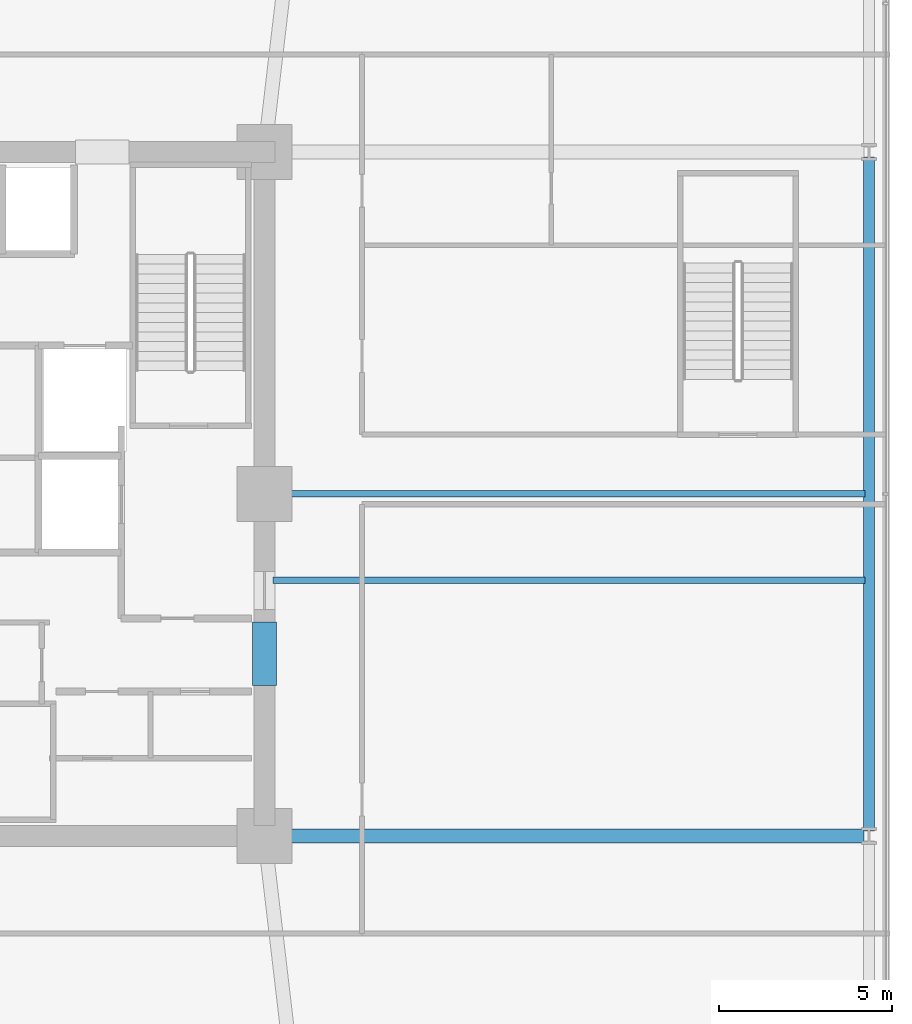
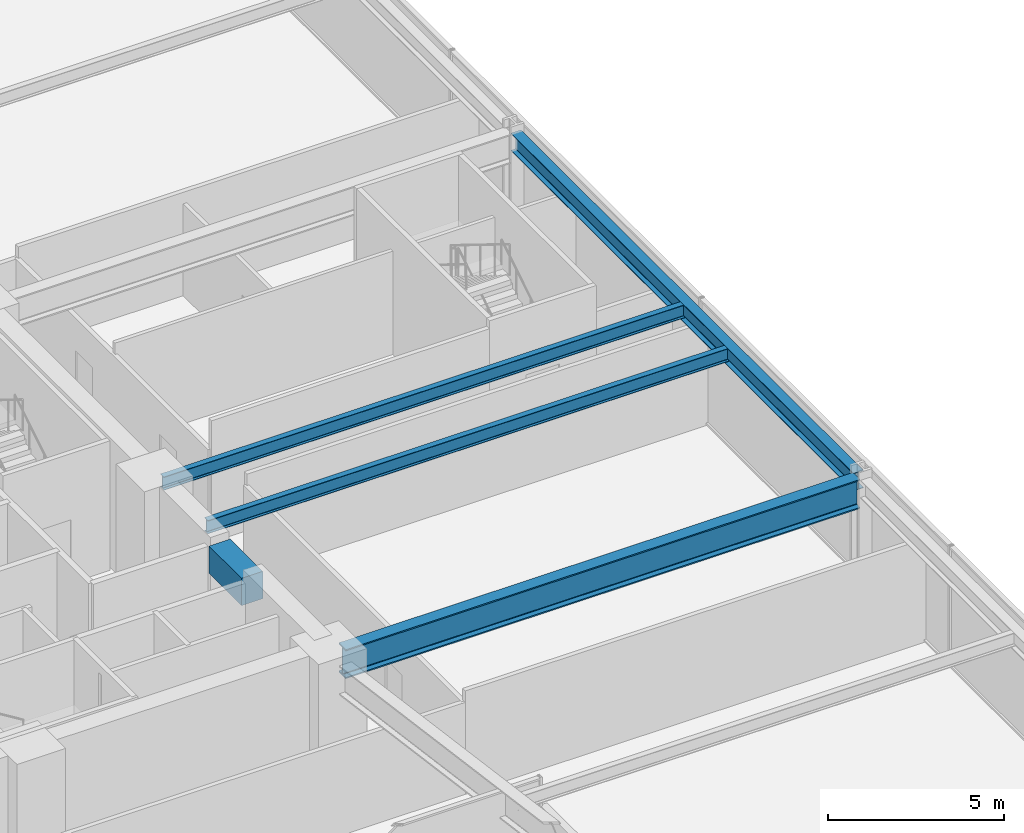
# One storey, part 23 of 47: 5 beams.
"""IFC4 building model written with IfcOpenShell, lengths in metres."""

from ifc_helpers import new_model, si_unit, direction, frame, origin, origin_2d, place, context, subcontext, project, spatial, rectangle, i_section, extrude, material, material_profile, profile_set, type_object, element, save


model = new_model("IFC4")

# Units and contexts
model_context = context("Model", 3, precision=1e-05, world=origin(), true_north=direction((0.0, 1.0)))
body_context = subcontext(model_context, "Body", "Model", "MODEL_VIEW")
ifc_project = project(units=[si_unit("LENGTHUNIT", "METRE"), si_unit("AREAUNIT", "SQUARE_METRE"), si_unit("VOLUMEUNIT", "CUBIC_METRE"), si_unit("PLANEANGLEUNIT", "RADIAN"), si_unit("MASSUNIT", "GRAM", prefix="KILO")], contexts=[model_context])

# Site, building, storey
site_placement = place(None, origin())
site = spatial("IfcSite", under=ifc_project, at=site_placement, CompositionType="ELEMENT")
building_placement = place(site_placement, origin())
building = spatial("IfcBuilding", under=site, at=building_placement, Name="Kolvaren Belvedere", CompositionType="ELEMENT")
storey_placement = place(building_placement, frame((0.0, 0.0, 5.5)))
storey = spatial("IfcBuildingStorey", under=building, at=storey_placement, Name="L02", CompositionType="ELEMENT", Elevation=5.5)

# Beams
ifc_material_1 = material(Name="Structural steel ASTM A992 Grade 50", Category="steel")
ifc_material_profile_1 = material_profile(ifc_material_1, i_section(OverallWidth=0.40087890625, OverallDepth=1.010986328125, WebThickness=0.023681640625, FlangeThickness=0.0419921875, FilletRadius=0.030029296875, at=origin_2d()), Name="W40X297")
ifc_profile_set_1 = profile_set([ifc_material_profile_1], Name="Structural steel ASTM A992 Grade 50")
beam_type_1 = type_object("IfcBeamType", Name="BM-BALL-W40X297", PredefinedType="BEAM", material=ifc_profile_set_1)
beam_1_placement = place(storey_placement, frame((10.35009765625, -9.89990234375, 3.714599609375), z_axis=(1.0, 0.0, 0.0), x_axis=(0.0, 1.0, 0.0)))
element("IfcBeam", 1, at=beam_1_placement, inside=storey, type_object=beam_type_1, Name="L02 East Interior Girder S", PredefinedType="BEAM", context=body_context, shape_type="SweptSolid", body=[
    extrude(i_section(OverallWidth=0.40087890625, OverallDepth=1.010986328125, WebThickness=0.023681640625, FlangeThickness=0.0419921875, FilletRadius=0.030029296875, at=origin_2d()), origin(), (0.0, 0.0, 1.0), 16.89990234375),
])
ifc_material_2 = material(Name="Structural steel ASTM A992 Grade 50", Category="steel")
ifc_material_profile_2 = material_profile(ifc_material_2, i_section(OverallWidth=0.19091796875, OverallDepth=0.4599609375, WebThickness=0.010009765625, FlangeThickness=0.01611328125, FilletRadius=0.014892578125, at=origin_2d()), Name="W18X55")
ifc_profile_set_2 = profile_set([ifc_material_profile_2], Name="Structural steel ASTM A992 Grade 50")
beam_type_2 = type_object("IfcBeamType", Name="BM-JOIST-W18X55", PredefinedType="BEAM", material=ifc_profile_set_2)
for number, where, z_axis, x_axis, name in (
    (2, (10.14990234375, -2.5, 3.989990234375), (1.0, 0.0, 0.0), (0.0, 1.0, 0.0), "L02 East Bay Floor Beam"),
    (3, (10.14990234375, 0.0, 3.989990234375), (1.0, 0.0, 0.0), (0.0, 1.0, 0.0), "L02 East Bay Floor Beam"),
):
    element("IfcBeam", number, at=place(storey_placement, frame(where, z_axis=z_axis, x_axis=x_axis)), inside=storey, type_object=beam_type_2, Name=name, PredefinedType="BEAM", context=body_context, shape_type="SweptSolid", body=[
        extrude(i_section(OverallWidth=0.19091796875, OverallDepth=0.4599609375, WebThickness=0.010009765625, FlangeThickness=0.01611328125, FilletRadius=0.014892578125, at=origin_2d()), origin(), (0.0, 0.0, 1.0), 17.130126953125),
    ])
ifc_material_3 = material(Name="Concrete C60/75", Category="concrete")
ifc_material_profile_3 = material_profile(ifc_material_3, rectangle(XDim=0.699951171875, YDim=0.949951171875, at=origin_2d()), Name="RC 700X950")
ifc_profile_set_3 = profile_set([ifc_material_profile_3], Name="Concrete C60/75")
beam_type_3 = type_object("IfcBeamType", Name="BM-LINT-950", PredefinedType="LINTEL", material=ifc_profile_set_3)
beam_2_placement = place(storey_placement, frame((9.89990234375, -5.550048828125, 3.7451171875), z_axis=(0.0, 1.0, 0.0), x_axis=(-1.0, 0.0, 0.0)))
element("IfcBeam", 4, at=beam_2_placement, inside=storey, type_object=beam_type_3, Name="L02 East Core Coupling Lintel", PredefinedType="LINTEL", context=body_context, shape_type="SweptSolid", body=[
    extrude(rectangle(XDim=0.699951171875, YDim=0.949951171875, at=origin_2d()), origin(), (0.0, 0.0, 1.0), 1.85009765625),
])
ifc_material_4 = material(Name="Structural steel ASTM A992 Grade 50", Category="steel")
ifc_material_profile_4 = material_profile(ifc_material_4, i_section(OverallWidth=0.324951171875, OverallDepth=0.615966796875, WebThickness=0.013916015625, FlangeThickness=0.021484375, FilletRadius=0.02001953125, at=origin_2d()), Name="W24X117")
ifc_profile_set_4 = profile_set([ifc_material_profile_4], Name="Structural steel ASTM A992 Grade 50")
beam_type_4 = type_object("IfcBeamType", Name="BM-SPAN-W24X117", PredefinedType="SPANDREL", material=ifc_profile_set_4)
beam_3_placement = place(storey_placement, frame((27.39990234375, -9.75, 3.912109375), z_axis=(0.0, 1.0, 0.0), x_axis=(-1.0, 0.0, 0.0)))
element("IfcBeam", 5, at=beam_3_placement, inside=storey, type_object=beam_type_4, Name="L02 E Podium Spandrel 2", PredefinedType="SPANDREL", context=body_context, shape_type="SweptSolid", body=[
    extrude(i_section(OverallWidth=0.324951171875, OverallDepth=0.615966796875, WebThickness=0.013916015625, FlangeThickness=0.021484375, FilletRadius=0.02001953125, at=origin_2d()), origin(), (0.0, 0.0, 1.0), 19.5),
])

save(model, "model.ifc")
